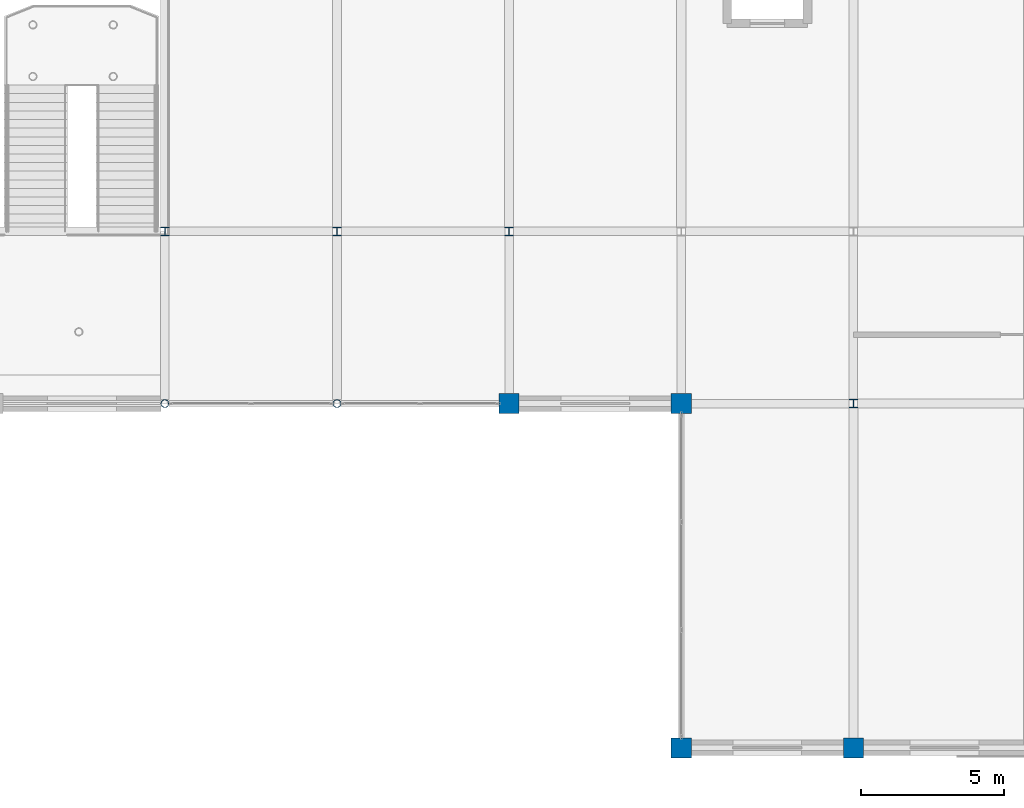
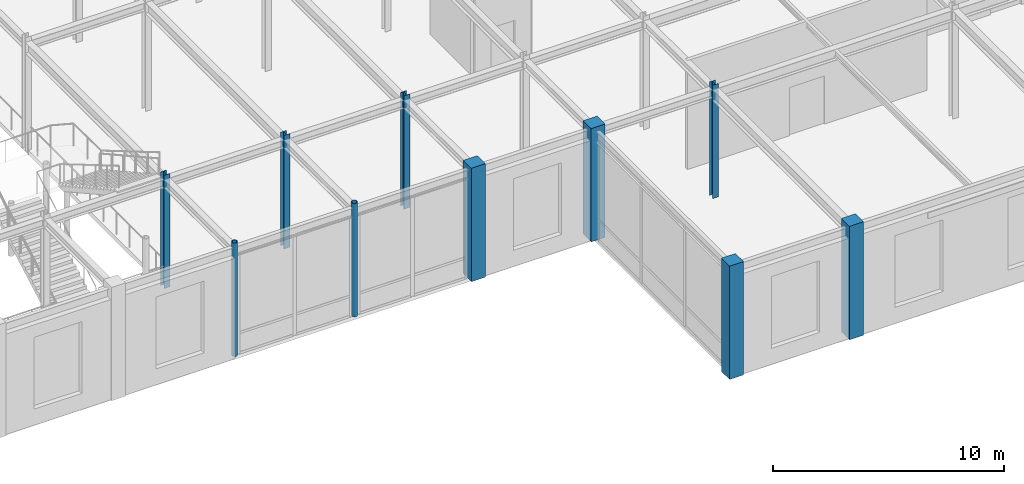
# One storey, part 9 of 108: 10 columns.
"""IFC4 building model written with IfcOpenShell, lengths in metres."""

from ifc_helpers import new_model, si_unit, direction, frame, origin, origin_2d, place, context, subcontext, project, spatial, rectangle, hollow_circle, i_section, extrude, material, material_profile, profile_set, type_object, element, save


model = new_model("IFC4")

# Units and contexts
model_context = context("Model", 3, precision=1e-05, world=origin(), true_north=direction((0.0, 1.0)))
body_context = subcontext(model_context, "Body", "Model", "MODEL_VIEW")
ifc_project = project(units=[si_unit("LENGTHUNIT", "METRE"), si_unit("AREAUNIT", "SQUARE_METRE"), si_unit("VOLUMEUNIT", "CUBIC_METRE"), si_unit("PLANEANGLEUNIT", "RADIAN"), si_unit("MASSUNIT", "GRAM", prefix="KILO")], contexts=[model_context])

# Site, building, storey
site_placement = place(None, origin())
site = spatial("IfcSite", under=ifc_project, at=site_placement, CompositionType="ELEMENT")
building_placement = place(site_placement, origin())
building = spatial("IfcBuilding", under=site, at=building_placement, Name="Zlatovratsky Civic Hall", CompositionType="ELEMENT")
storey_placement = place(building_placement, frame((0.0, 0.0, 6.0)))
storey = spatial("IfcBuildingStorey", under=building, at=storey_placement, Name="L02", CompositionType="ELEMENT", Elevation=6.0)

# Columns
ifc_material_1 = material(Name="Concrete C35/45 (B40)", Category="concrete")
ifc_material_profile_1 = material_profile(ifc_material_1, rectangle(XDim=0.699951171875, YDim=0.699951171875, at=origin_2d()), Name="RC 700x700")
ifc_profile_set_1 = profile_set([ifc_material_profile_1], Name="Concrete C35/45 (B40)")
column_type_1 = type_object("IfcColumnType", Name="Col_CorePier_RC700", PredefinedType="COLUMN", material=ifc_profile_set_1)
for number, where, z_axis, x_axis, name in (
    (1, (114.0, 0.0, 0.0), (0.0, 0.0, 1.0), (1.0, 0.0, 0.0), "CL-0829"),
    (2, (120.0, 0.0, 0.0), (0.0, 0.0, 1.0), (1.0, 0.0, 0.0), "CL-0830"),
    (3, (108.0, 12.0, 0.0), (0.0, 0.0, 1.0), (1.0, 0.0, 0.0), "CL-0851"),
    (4, (114.0, 12.0, 0.0), (0.0, 0.0, 1.0), (1.0, 0.0, 0.0), "CL-0852"),
):
    element("IfcColumn", number, at=place(storey_placement, frame(where, z_axis=z_axis, x_axis=x_axis)), inside=storey, type_object=column_type_1, Name=name, PredefinedType="COLUMN", context=body_context, shape_type="SweptSolid", body=[
        extrude(rectangle(XDim=0.699951171875, YDim=0.699951171875, at=origin_2d()), origin(), (0.0, 0.0, 1.0), 6.0),
    ])
ifc_material_2 = material(Name="Steel S355", Category="steel")
ifc_material_profile_2 = material_profile(ifc_material_2, hollow_circle(Radius=0.136474609375, WallThickness=0.010009765625, at=origin_2d()), Name="CHS 273x10")
ifc_profile_set_2 = profile_set([ifc_material_profile_2], Name="Steel S355")
column_type_2 = type_object("IfcColumnType", Name="Col_Portico_CHS273", PredefinedType="COLUMN", material=ifc_profile_set_2)
for number, where, z_axis, x_axis, name in (
    (5, (96.0, 12.0, 0.0), (0.0, 0.0, 1.0), (1.0, 0.0, 0.0), "CL-0849"),
    (6, (102.0, 12.0, 0.0), (0.0, 0.0, 1.0), (1.0, 0.0, 0.0), "CL-0850"),
):
    element("IfcColumn", number, at=place(storey_placement, frame(where, z_axis=z_axis, x_axis=x_axis)), inside=storey, type_object=column_type_2, Name=name, PredefinedType="COLUMN", context=body_context, shape_type="SweptSolid", body=[
        extrude(hollow_circle(Radius=0.136474609375, WallThickness=0.010009765625, at=origin_2d()), origin(), (0.0, 0.0, 1.0), 6.0),
    ])
ifc_material_profile_3 = material_profile(ifc_material_2, i_section(OverallWidth=0.300048828125, OverallDepth=0.300048828125, WebThickness=0.010009765625, FlangeThickness=0.014892578125, FilletRadius=0.01806640625, at=origin_2d()), Name="30K2")
ifc_profile_set_3 = profile_set([ifc_material_profile_3], Name="Steel S355")
column_type_3 = type_object("IfcColumnType", Name="Col_Steel_30K2", PredefinedType="COLUMN", material=ifc_profile_set_3)
for number, where, z_axis, x_axis, name in (
    (7, (120.0, 12.0, 0.0), (0.0, 0.0, 1.0), (1.0, 0.0, 0.0), "CL-0853"),
    (8, (96.0, 18.0, 0.0), (0.0, 0.0, 1.0), (1.0, 0.0, 0.0), "CL-0872"),
    (9, (102.0, 18.0, 0.0), (0.0, 0.0, 1.0), (1.0, 0.0, 0.0), "CL-0873"),
    (10, (108.0, 18.0, 0.0), (0.0, 0.0, 1.0), (1.0, 0.0, 0.0), "CL-0874"),
):
    element("IfcColumn", number, at=place(storey_placement, frame(where, z_axis=z_axis, x_axis=x_axis)), inside=storey, type_object=column_type_3, Name=name, PredefinedType="COLUMN", context=body_context, shape_type="SweptSolid", body=[
        extrude(i_section(OverallWidth=0.300048828125, OverallDepth=0.300048828125, WebThickness=0.010009765625, FlangeThickness=0.014892578125, FilletRadius=0.01806640625, at=origin_2d()), origin(), (0.0, 0.0, 1.0), 6.0),
    ])

save(model, "model.ifc")
